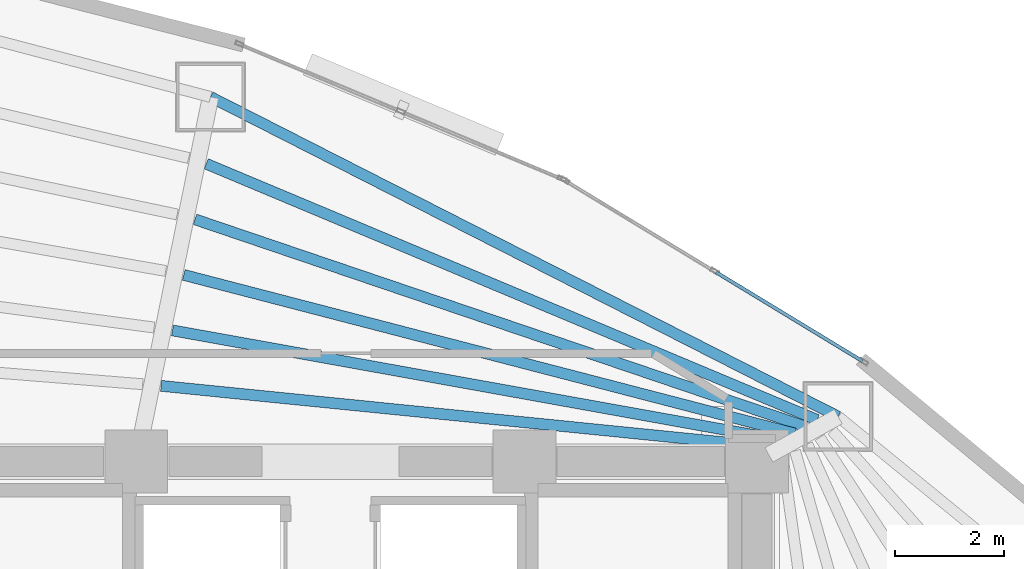
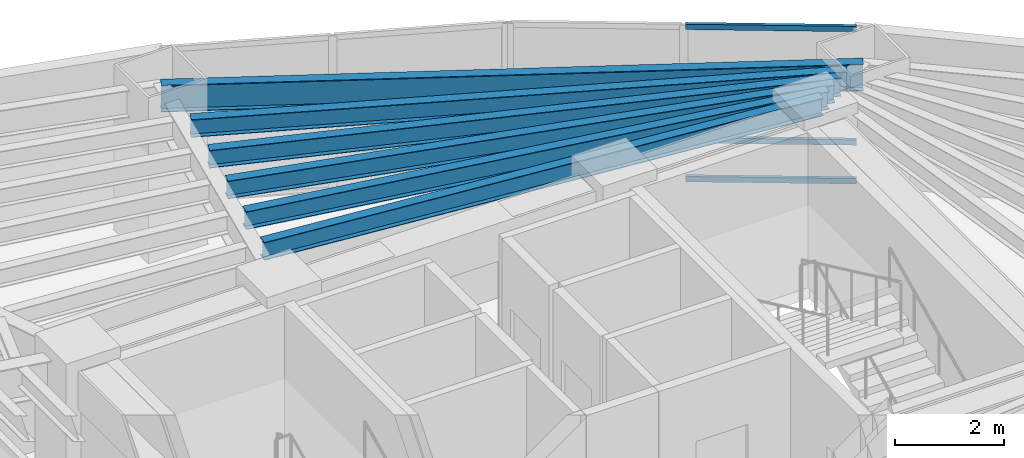
# One storey, part 10 of 18: 6 beams, 3 members, 1 element without a shape of its own.
"""IFC4 building model written with IfcOpenShell, lengths in metres."""

from ifc_helpers import new_model, si_unit, direction, frame, origin, origin_2d, place, context, subcontext, project, spatial, hollow_rectangle, i_section, extrude, material, layer, layer_set, material_profile, profile_set, type_object, element, aggregate, save


model = new_model("IFC4")

# Units and contexts
model_context = context("Model", 3, precision=1e-05, world=origin(), true_north=direction((0.0, 1.0)))
body_context = subcontext(model_context, "Body", "Model", "MODEL_VIEW")
ifc_project = project(units=[si_unit("LENGTHUNIT", "METRE"), si_unit("AREAUNIT", "SQUARE_METRE"), si_unit("VOLUMEUNIT", "CUBIC_METRE"), si_unit("PLANEANGLEUNIT", "RADIAN"), si_unit("MASSUNIT", "GRAM", prefix="KILO")], contexts=[model_context])

# Site, building, storey
site_placement = place(None, origin())
site = spatial("IfcSite", under=ifc_project, at=site_placement, CompositionType="ELEMENT")
building_placement = place(site_placement, origin())
building = spatial("IfcBuilding", under=site, at=building_placement, Name="Menara Vayukalpa", CompositionType="ELEMENT")
storey_placement = place(building_placement, frame((0.0, 0.0, 96.5400390625)))
storey = spatial("IfcBuildingStorey", under=building, at=storey_placement, Name="L23", CompositionType="ELEMENT", Elevation=96.5400390625)

# Beams
ifc_material_1 = material(Name="Steel S355", Category="steel")
ifc_material_profile_1 = material_profile(ifc_material_1, i_section(OverallWidth=0.199951171875, OverallDepth=0.39990234375, WebThickness=0.008056640625, FlangeThickness=0.012939453125, at=origin_2d()), Name="WF 400x200x8x13")
ifc_profile_set_1 = profile_set([ifc_material_profile_1], Name="Steel S355")
beam_type_1 = type_object("IfcBeamType", Name="BM-SJ2", PredefinedType="JOIST", material=ifc_profile_set_1)
beam_1_placement = place(storey_placement, frame((33.677978515625, 27.06396484375, 3.27001953125), z_axis=(-0.995012836574, 0.099746955103, 0.0), x_axis=(-0.099746955103, -0.995012836574, 0.0)))
element("IfcBeam", 1, at=beam_1_placement, inside=storey, type_object=beam_type_1, Name="L23 Secondary Floor Joist SJ02-1", PredefinedType="JOIST", context=body_context, shape_type="SweptSolid", body=[
    extrude(i_section(OverallWidth=0.199951171875, OverallDepth=0.39990234375, WebThickness=0.008056640625, FlangeThickness=0.012939453125, at=origin_2d()), origin(), (0.0, 0.0, 1.0), 11.2294921875),
])
beam_2_placement = place(storey_placement, frame((33.882568359375, 27.189208984375, 3.27001953125), z_axis=(-0.984205443357, 0.177030068819, 0.0), x_axis=(-0.177030068819, -0.984205443357, 0.0)))
element("IfcBeam", 2, at=beam_2_placement, inside=storey, type_object=beam_type_1, Name="L23 Secondary Floor Joist SJ02-2", PredefinedType="JOIST", context=body_context, shape_type="SweptSolid", body=[
    extrude(i_section(OverallWidth=0.199951171875, OverallDepth=0.39990234375, WebThickness=0.008056640625, FlangeThickness=0.012939453125, at=origin_2d()), origin(), (0.0, 0.0, 1.0), 11.349853515625),
])
beam_3_placement = place(storey_placement, frame((34.08837890625, 27.31396484375, 3.27001953125), z_axis=(-0.967921665574, 0.251252162802, 0.0), x_axis=(-0.251252162802, -0.967921665574, 0.0)))
element("IfcBeam", 3, at=beam_3_placement, inside=storey, type_object=beam_type_1, Name="L23 Secondary Floor Joist SJ02-3", PredefinedType="JOIST", context=body_context, shape_type="SweptSolid", body=[
    extrude(i_section(OverallWidth=0.199951171875, OverallDepth=0.39990234375, WebThickness=0.008056640625, FlangeThickness=0.012939453125, at=origin_2d()), origin(), (0.0, 0.0, 1.0), 11.539794921875),
])
beam_4_placement = place(storey_placement, frame((34.294677734375, 27.43798828125, 3.27001953125), z_axis=(-0.94694934653, 0.321382848183, 0.0), x_axis=(-0.321382848183, -0.94694934653, 0.0)))
element("IfcBeam", 4, at=beam_4_placement, inside=storey, type_object=beam_type_1, Name="L23 Secondary Floor Joist SJ02-4", PredefinedType="JOIST", context=body_context, shape_type="SweptSolid", body=[
    extrude(i_section(OverallWidth=0.199951171875, OverallDepth=0.39990234375, WebThickness=0.008056640625, FlangeThickness=0.012939453125, at=origin_2d()), origin(), (0.0, 0.0, 1.0), 11.7958984375),
])
beam_5_placement = place(storey_placement, frame((34.501708984375, 27.561279296875, 3.27001953125), z_axis=(-0.922216637658, 0.386673600375, 0.0), x_axis=(-0.386673600375, -0.922216637658, 0.0)))
element("IfcBeam", 5, at=beam_5_placement, inside=storey, type_object=beam_type_1, Name="L23 Secondary Floor Joist SJ02-5", PredefinedType="JOIST", context=body_context, shape_type="SweptSolid", body=[
    extrude(i_section(OverallWidth=0.199951171875, OverallDepth=0.39990234375, WebThickness=0.008056640625, FlangeThickness=0.012939453125, at=origin_2d()), origin(), (0.0, 0.0, 1.0), 12.114501953125),
])
ifc_material_2 = material(Name="Steel S355", Category="steel")
ifc_material_profile_2 = material_profile(ifc_material_2, i_section(OverallWidth=0.199951171875, OverallDepth=0.60009765625, WebThickness=0.010986328125, FlangeThickness=0.01708984375, at=origin_2d()), Name="WF 600x200x11x17")
ifc_profile_set_2 = profile_set([ifc_material_profile_2], Name="Steel S355")
beam_type_2 = type_object("IfcBeamType", Name="BM-SP1", PredefinedType="SPANDREL", material=ifc_profile_set_2)
beam_6_placement = place(storey_placement, frame((34.88671875, 27.62158203125, 3.169921875), z_axis=(-0.891097345221, 0.453812209333, 0.0), x_axis=(-0.453812209333, -0.891097345221, 0.0)))
element("IfcBeam", 6, at=beam_6_placement, inside=storey, type_object=beam_type_2, Name="L23 Perimeter Spandrel Beam SP02", PredefinedType="SPANDREL", context=body_context, shape_type="SweptSolid", body=[
    extrude(i_section(OverallWidth=0.199951171875, OverallDepth=0.60009765625, WebThickness=0.010986328125, FlangeThickness=0.01708984375, at=origin_2d()), origin(), (0.0, 0.0, 1.0), 12.88134765625),
])

# Curtain wall, members
ifc_material_3 = material(Name="Anodised Terracotta Aluminium Alloy 6063-T6", Category="masonry")
ifc_layer = layer(ifc_material_3, 0.14990234375)
ifc_layer_set = layer_set([ifc_layer], Name="Anodised Terracotta Aluminium Alloy 6063-T6")
curtain_wall_type = type_object("IfcCurtainWallType", Name="CW-CW3", PredefinedType="USERDEFINED", material=ifc_layer_set)
curtain_wall_placement = place(storey_placement, origin())
curtain_wall = element("IfcCurtainWall", 7, at=curtain_wall_placement, inside=storey, type_object=curtain_wall_type, Name="L23 Mid Rise Terracotta Ribbon Curtain Wall CW3 04", ObjectType="UNITISED", PredefinedType="USERDEFINED")
ifc_material_4 = material(Name="Anodised Terracotta Aluminium Alloy 6063-T6", Category="masonry")
ifc_material_profile_3 = material_profile(ifc_material_4, hollow_rectangle(XDim=0.06494140625, YDim=0.1201171875, WallThickness=0.00341796875, at=origin_2d()), Name="ALU 65x120x3.5")
ifc_profile_set_3 = profile_set([ifc_material_profile_3], Name="Anodised Terracotta Aluminium Alloy 6063-T6")
member_type = type_object("IfcMemberType", Name="CWT-CW3", PredefinedType="USERDEFINED", material=ifc_profile_set_3)
member_1_placement = place(storey_placement, frame((35.33056640625, 28.6357421875, 0.032470703125), z_axis=(-0.854673871166, 0.519165266506, 0.0), x_axis=(-0.519165266506, -0.854673871166, 0.0)))
member_1 = element("IfcMember", 8, at=member_1_placement, type_object=member_type, Name="CW3 transom 1.1", ObjectType="TRANSOM", PredefinedType="USERDEFINED", context=body_context, shape_type="SweptSolid", body=[
    extrude(hollow_rectangle(XDim=0.06494140625, YDim=0.1201171875, WallThickness=0.00341796875, at=origin_2d()), origin(), (0.0, 0.0, 1.0), 3.1318359375),
])
member_2_placement = place(storey_placement, frame((35.33056640625, 28.6357421875, 0.89990234375), z_axis=(-0.854673871166, 0.519165266506, 0.0), x_axis=(-0.519165266506, -0.854673871166, 0.0)))
member_2 = element("IfcMember", 9, at=member_2_placement, type_object=member_type, Name="CW3 transom 1.2", ObjectType="TRANSOM", PredefinedType="USERDEFINED", context=body_context, shape_type="SweptSolid", body=[
    extrude(hollow_rectangle(XDim=0.06494140625, YDim=0.1201171875, WallThickness=0.00341796875, at=origin_2d()), origin(), (0.0, 0.0, 1.0), 3.1318359375),
])
member_3_placement = place(storey_placement, frame((35.33056640625, 28.6357421875, 3.4375), z_axis=(-0.854673871166, 0.519165266506, 0.0), x_axis=(-0.519165266506, -0.854673871166, 0.0)))
member_3 = element("IfcMember", 10, at=member_3_placement, type_object=member_type, Name="CW3 transom 1.3", ObjectType="TRANSOM", PredefinedType="USERDEFINED", context=body_context, shape_type="SweptSolid", body=[
    extrude(hollow_rectangle(XDim=0.06494140625, YDim=0.1201171875, WallThickness=0.00341796875, at=origin_2d()), origin(), (0.0, 0.0, 1.0), 3.1318359375),
])
aggregate(curtain_wall, [member_1, member_2, member_3])

save(model, "model.ifc")
